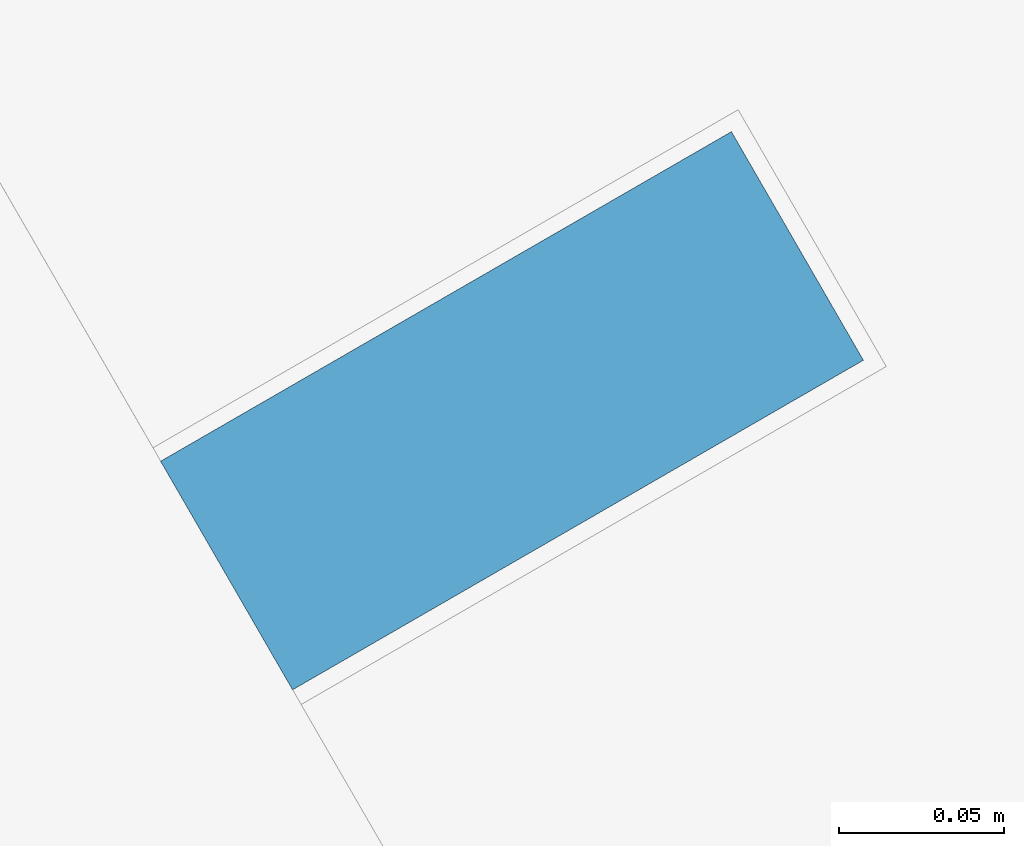
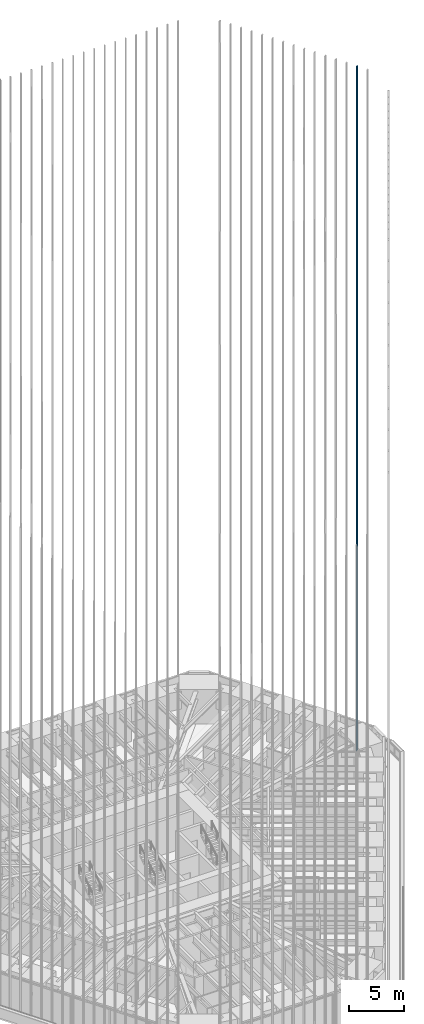
# One storey, part 183 of 238: 1 member, 1 element without a shape of its own.
"""IFC4 building model written with IfcOpenShell, lengths in metres."""

from ifc_helpers import new_model, si_unit, direction, frame, origin, origin_2d, place, context, subcontext, project, spatial, rectangle, extrude, material, material_profile, profile_set, type_object, element, aggregate, save


model = new_model("IFC4")

# Units and contexts
model_context = context("Model", 3, precision=1e-05, world=origin(), true_north=direction((0.0, 1.0)))
body_context = subcontext(model_context, "Body", "Model", "MODEL_VIEW")
ifc_project = project(units=[si_unit("LENGTHUNIT", "METRE"), si_unit("AREAUNIT", "SQUARE_METRE"), si_unit("VOLUMEUNIT", "CUBIC_METRE"), si_unit("PLANEANGLEUNIT", "RADIAN"), si_unit("MASSUNIT", "GRAM", prefix="KILO")], contexts=[model_context])

# Site, building, storey
site_placement = place(None, origin())
site = spatial("IfcSite", under=ifc_project, at=site_placement, CompositionType="ELEMENT")
building_placement = place(site_placement, origin())
building = spatial("IfcBuilding", under=site, at=building_placement, Name="Sandreach Pilgrim Tower", CompositionType="ELEMENT")
storey_placement = place(building_placement, frame((0.0, 0.0, 96.800048828125)))
storey = spatial("IfcBuildingStorey", under=building, at=storey_placement, Name="L23", CompositionType="ELEMENT", Elevation=96.800048828125)

# Curtain wall, member
ifc_material_1 = material(Name="Aluminium framed curtain wall", Category="aluminium")
curtain_wall_type = type_object("IfcCurtainWallType", Name="Hotel tower curtain wall", PredefinedType="NOTDEFINED", material=ifc_material_1)
curtain_wall_placement = place(storey_placement, origin())
curtain_wall = element("IfcCurtainWall", 1, at=curtain_wall_placement, inside=storey, type_object=curtain_wall_type, Name="CW-2 L23 NE", PredefinedType="NOTDEFINED")
ifc_material_2 = material(Name="Extruded terracotta on aluminium core", Category="masonry")
ifc_material_profile = material_profile(ifc_material_2, rectangle(XDim=0.080078125, YDim=0.199951171875, at=origin_2d()), Name="TBE 80X200")
ifc_profile_set = profile_set([ifc_material_profile], Name="Extruded terracotta on aluminium core")
member_type = type_object("IfcMemberType", Name="Terracotta baguette east", PredefinedType="USERDEFINED", material=ifc_profile_set)
member_placement = place(storey_placement, frame((28.077392578125, 8.552978515625, 0.0), z_axis=(0.0, 0.0, 1.0), x_axis=(0.5, -0.866025403784, 0.0)))
member = element("IfcMember", 2, at=member_placement, type_object=member_type, Name="Baguette Z2 NE14", ObjectType="BAGUETTE", PredefinedType="USERDEFINED", context=body_context, shape_type="SweptSolid", body=[
    extrude(rectangle(XDim=0.080078125, YDim=0.199951171875, at=origin_2d()), origin(), (0.0, 0.0, 1.0), 75.83984375),
])
aggregate(curtain_wall, [member])

save(model, "model.ifc")
